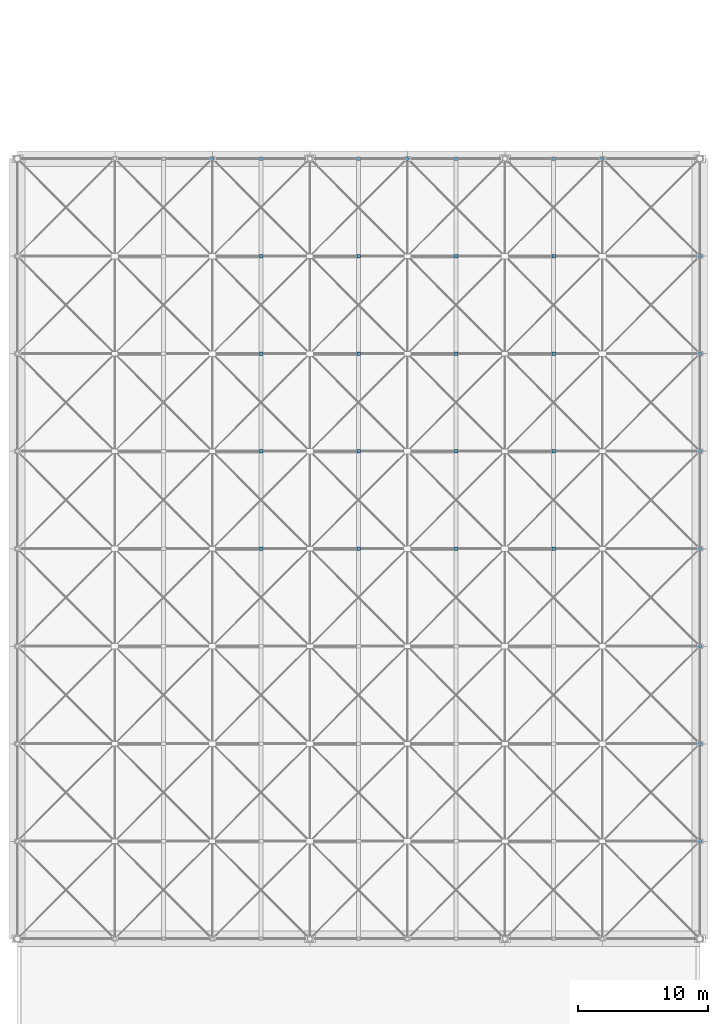
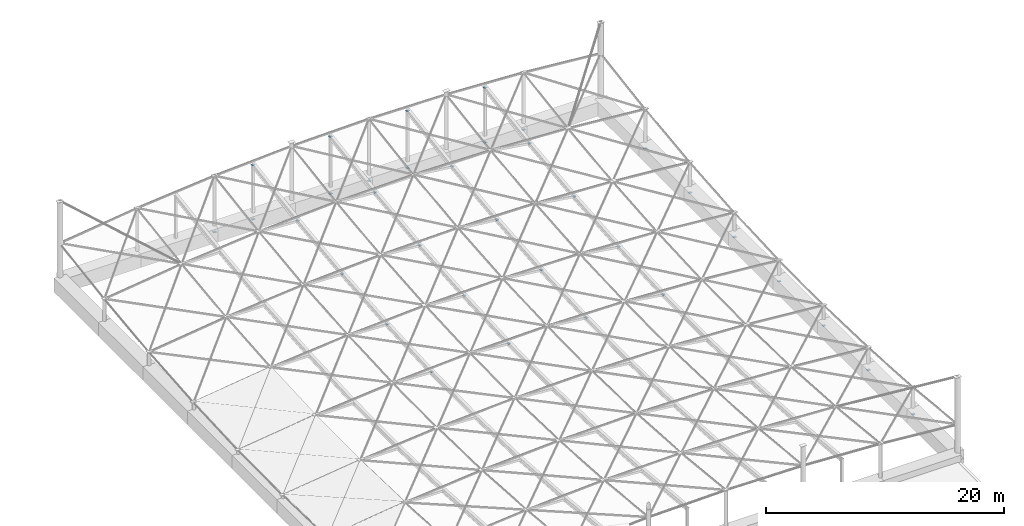
# One storey, part 16 of 17: 34 discrete accessories.
"""IFC4 building model written with IfcOpenShell, lengths in metres."""

from ifc_helpers import new_model, si_unit, direction, frame, origin, origin_2d, place, context, subcontext, project, spatial, rectangle, extrude, material, type_object, element, save


model = new_model("IFC4")

# Units and contexts
model_context = context("Model", 3, precision=1e-05, world=origin(), true_north=direction((0.0, 1.0)))
body_context = subcontext(model_context, "Body", "Model", "MODEL_VIEW")
ifc_project = project(units=[si_unit("LENGTHUNIT", "METRE"), si_unit("AREAUNIT", "SQUARE_METRE"), si_unit("VOLUMEUNIT", "CUBIC_METRE"), si_unit("PLANEANGLEUNIT", "RADIAN"), si_unit("MASSUNIT", "GRAM", prefix="KILO")], contexts=[model_context])

# Site, building, storey
site_placement = place(None, origin())
site = spatial("IfcSite", under=ifc_project, at=site_placement, CompositionType="ELEMENT")
building_placement = place(site_placement, origin())
building = spatial("IfcBuilding", under=site, at=building_placement, Name="Qasida Concert Hall", CompositionType="ELEMENT")
storey_placement = place(building_placement, frame((0.0, 0.0, 25.199951171875)))
storey = spatial("IfcBuildingStorey", under=building, at=storey_placement, Name="RF", CompositionType="ELEMENT", Elevation=25.199951171875)

# Discrete accessories
ifc_material = material(Name="Steel S355J2", Category="steel")
discrete_accessory_type = type_object("IfcDiscreteAccessoryType", Name="ACC-CONN-S355", PredefinedType="BRACKET", material=ifc_material)
for number, where, z_axis, x_axis, name in (
    (1, (67.5, 82.5, -0.011962890625), (0.0, 0.0, 1.0), (1.0, 0.0, 0.0), "Steel brace/strut end connection CN-0023"),
    (2, (82.5, 82.5, -0.011962890625), (0.0, 0.0, 1.0), (1.0, 0.0, 0.0), "Steel brace/strut end connection CN-0025"),
    (3, (97.5, 82.5, -0.011962890625), (0.0, 0.0, 1.0), (1.0, 0.0, 0.0), "Steel brace/strut end connection CN-0027"),
    (4, (105.0, 30.0, -0.011962890625), (0.0, 0.0, 1.0), (1.0, 0.0, 0.0), "Steel brace/strut end connection CN-0028"),
    (5, (105.0, 37.5, -0.011962890625), (0.0, 0.0, 1.0), (1.0, 0.0, 0.0), "Steel brace/strut end connection CN-0029"),
    (6, (105.0, 45.0, -0.011962890625), (0.0, 0.0, 1.0), (1.0, 0.0, 0.0), "Steel brace/strut end connection CN-0030"),
    (7, (105.0, 52.5, -0.011962890625), (0.0, 0.0, 1.0), (1.0, 0.0, 0.0), "Steel brace/strut end connection CN-0031"),
    (8, (105.0, 60.0, -0.011962890625), (0.0, 0.0, 1.0), (1.0, 0.0, 0.0), "Steel brace/strut end connection CN-0032"),
    (9, (105.0, 67.5, -0.011962890625), (0.0, 0.0, 1.0), (1.0, 0.0, 0.0), "Steel brace/strut end connection CN-0033"),
    (10, (105.0, 75.0, -0.011962890625), (0.0, 0.0, 1.0), (1.0, 0.0, 0.0), "Steel brace/strut end connection CN-0034"),
    (11, (71.25, 82.5, -0.011962890625), (0.0, 0.0, 1.0), (1.0, 0.0, 0.0), "Steel brace/strut end connection CN-0048"),
    (12, (71.25, 82.5, 5.56640625), (0.0, 0.0, 1.0), (1.0, 0.0, 0.0), "Steel brace/strut end connection CN-0049"),
    (13, (71.25, 52.5, 2.516357421875), (0.0, 0.0, 1.0), (1.0, 0.0, 0.0), "Steel brace/strut end connection CN-0053"),
    (14, (71.25, 60.0, 2.8662109375), (0.0, 0.0, 1.0), (1.0, 0.0, 0.0), "Steel brace/strut end connection CN-0054"),
    (15, (71.25, 67.5, 3.4912109375), (0.0, 0.0, 1.0), (1.0, 0.0, 0.0), "Steel brace/strut end connection CN-0055"),
    (16, (71.25, 75.0, 4.391357421875), (0.0, 0.0, 1.0), (1.0, 0.0, 0.0), "Steel brace/strut end connection CN-0056"),
    (17, (78.75, 82.5, -0.011962890625), (0.0, 0.0, 1.0), (1.0, 0.0, 0.0), "Steel brace/strut end connection CN-0059"),
    (18, (78.75, 82.5, 5.858154296875), (0.0, 0.0, 1.0), (1.0, 0.0, 0.0), "Steel brace/strut end connection CN-0060"),
    (19, (78.75, 52.5, 2.80810546875), (0.0, 0.0, 1.0), (1.0, 0.0, 0.0), "Steel brace/strut end connection CN-0064"),
    (20, (78.75, 60.0, 3.158203125), (0.0, 0.0, 1.0), (1.0, 0.0, 0.0), "Steel brace/strut end connection CN-0065"),
    (21, (78.75, 67.5, 3.783203125), (0.0, 0.0, 1.0), (1.0, 0.0, 0.0), "Steel brace/strut end connection CN-0066"),
    (22, (78.75, 75.0, 4.68310546875), (0.0, 0.0, 1.0), (1.0, 0.0, 0.0), "Steel brace/strut end connection CN-0067"),
    (23, (86.25, 82.5, -0.011962890625), (0.0, 0.0, 1.0), (1.0, 0.0, 0.0), "Steel brace/strut end connection CN-0070"),
    (24, (86.25, 82.5, 5.88037109375), (0.0, 0.0, 1.0), (1.0, 0.0, 0.0), "Steel brace/strut end connection CN-0071"),
    (25, (86.25, 52.5, 2.83056640625), (0.0, 0.0, 1.0), (1.0, 0.0, 0.0), "Steel brace/strut end connection CN-0075"),
    (26, (86.25, 60.0, 3.180419921875), (0.0, 0.0, 1.0), (1.0, 0.0, 0.0), "Steel brace/strut end connection CN-0076"),
    (27, (86.25, 67.5, 3.805419921875), (0.0, 0.0, 1.0), (1.0, 0.0, 0.0), "Steel brace/strut end connection CN-0077"),
    (28, (86.25, 75.0, 4.70556640625), (0.0, 0.0, 1.0), (1.0, 0.0, 0.0), "Steel brace/strut end connection CN-0078"),
    (29, (93.75, 82.5, -0.011962890625), (0.0, 0.0, 1.0), (1.0, 0.0, 0.0), "Steel brace/strut end connection CN-0081"),
    (30, (93.75, 82.5, 5.633544921875), (0.0, 0.0, 1.0), (1.0, 0.0, 0.0), "Steel brace/strut end connection CN-0082"),
    (31, (93.75, 52.5, 2.58349609375), (0.0, 0.0, 1.0), (1.0, 0.0, 0.0), "Steel brace/strut end connection CN-0086"),
    (32, (93.75, 60.0, 2.93359375), (0.0, 0.0, 1.0), (1.0, 0.0, 0.0), "Steel brace/strut end connection CN-0087"),
    (33, (93.75, 67.5, 3.55859375), (0.0, 0.0, 1.0), (1.0, 0.0, 0.0), "Steel brace/strut end connection CN-0088"),
    (34, (93.75, 75.0, 4.45849609375), (0.0, 0.0, 1.0), (1.0, 0.0, 0.0), "Steel brace/strut end connection CN-0089"),
):
    element("IfcDiscreteAccessory", number, at=place(storey_placement, frame(where, z_axis=z_axis, x_axis=x_axis)), inside=storey, type_object=discrete_accessory_type, Name=name, PredefinedType="BRACKET", context=body_context, shape_type="SweptSolid", body=[
        extrude(rectangle(XDim=0.280029296875, YDim=0.239990234375, at=origin_2d()), origin(), (0.0, 0.0, 1.0), 0.02392578125),
    ])

save(model, "model.ifc")
